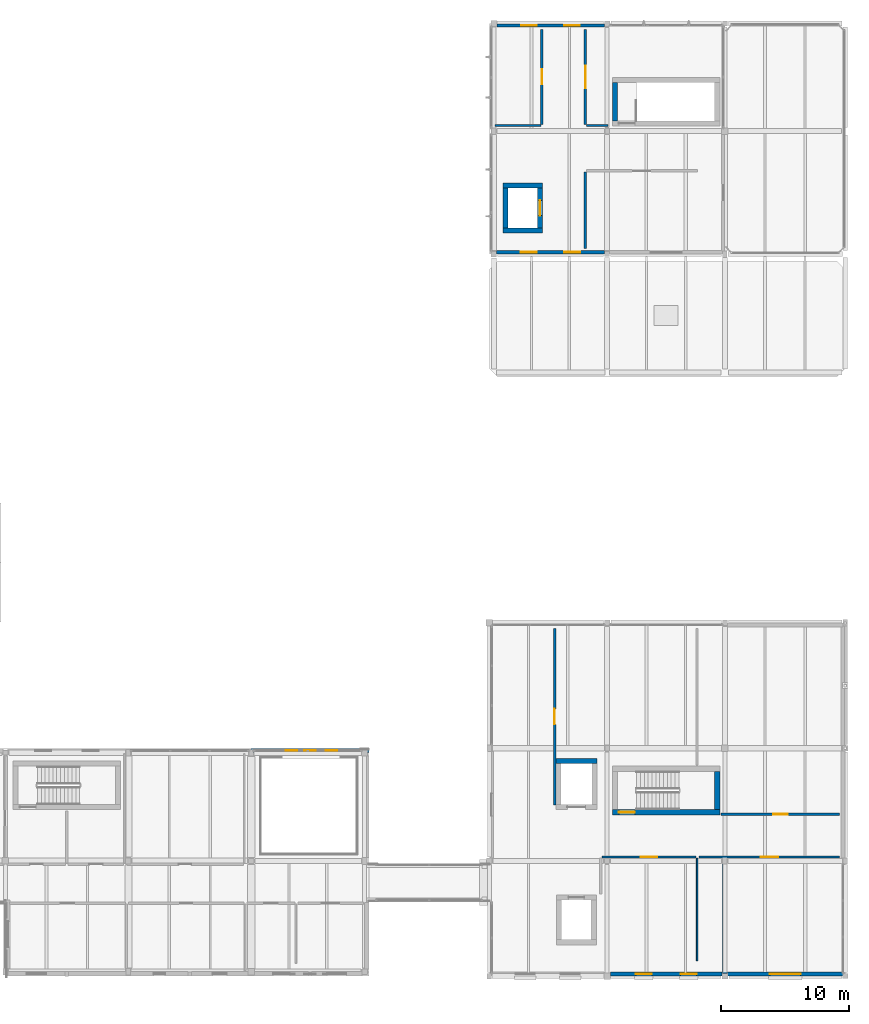
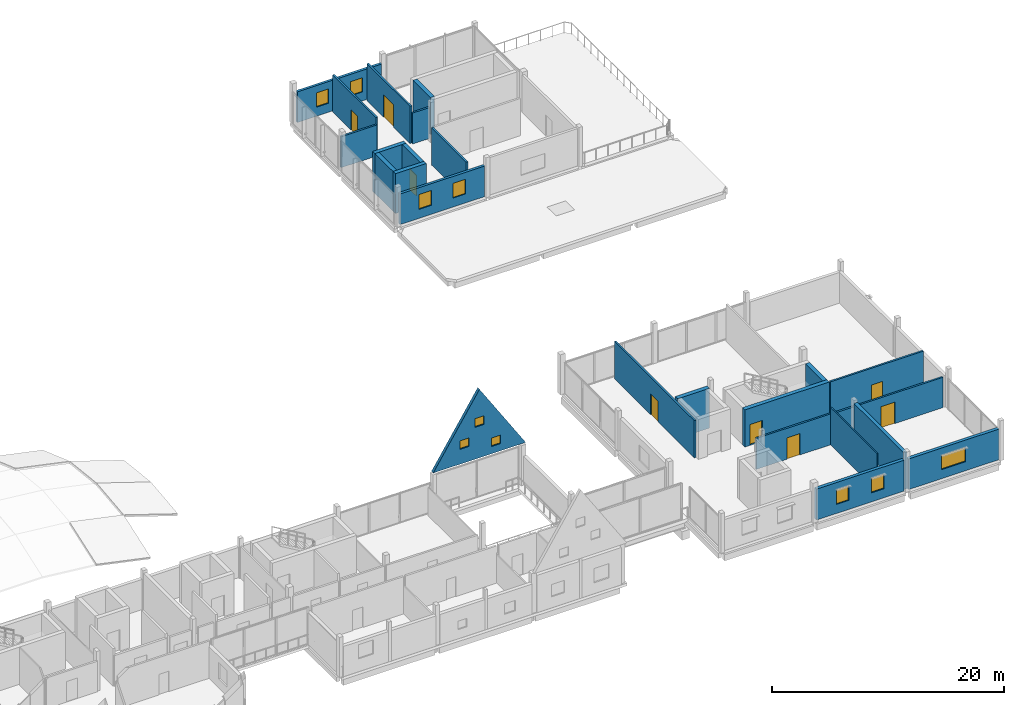
# One storey, part 23 of 35: 24 walls, 10 windows, 8 doors, 18 openings.
"""IFC4 building model written with IfcOpenShell, lengths in metres."""

from ifc_helpers import new_model, si_unit, direction, frame, frame_2d, origin, place, context, subcontext, project, spatial, polyline, rectangle, outline, extrude, material, layer, layer_set, type_object, element, fill, save


model = new_model("IFC4")

# Units and contexts
model_context = context("Model", 3, precision=1e-05, world=origin(), true_north=direction((0.0, 1.0)))
body_context = subcontext(model_context, "Body", "Model", "MODEL_VIEW")
ifc_project = project(units=[si_unit("LENGTHUNIT", "METRE"), si_unit("AREAUNIT", "SQUARE_METRE"), si_unit("VOLUMEUNIT", "CUBIC_METRE"), si_unit("PLANEANGLEUNIT", "RADIAN"), si_unit("MASSUNIT", "GRAM", prefix="KILO")], contexts=[model_context])

# Site, building, storey
site_placement = place(None, origin())
site = spatial("IfcSite", under=ifc_project, at=site_placement, CompositionType="ELEMENT")
building_placement = place(site_placement, origin())
building = spatial("IfcBuilding", under=site, at=building_placement, Name="Birchvale Park Specialist Clinic", CompositionType="ELEMENT")
storey_placement = place(building_placement, frame((0.0, 0.0, 13.800048828125)))
storey = spatial("IfcBuildingStorey", under=building, at=storey_placement, Name="L03", CompositionType="ELEMENT", Elevation=13.800048828125)

# Wall
ifc_material_1 = material(Name="Concrete C40/50", Category="concrete")
ifc_layer_1 = layer(ifc_material_1, 0.39990234375)
ifc_layer_set_1 = layer_set([ifc_layer_1], Name="Concrete C40/50")
wall_type_1 = type_object("IfcWallType", Name="WL-CW-120", PredefinedType="SHEAR", material=ifc_layer_set_1)
wall_1_placement = place(storey_placement, frame((137.800048828125, 83.60009765625, 0.0), z_axis=(0.0, 0.0, 1.0), x_axis=(0.0, 1.0, 0.0)))
element("IfcWall", 1, at=wall_1_placement, inside=storey, type_object=wall_type_1, Name="L03 stair ST3 EI 120 enclosure wall (west)", PredefinedType="SHEAR", context=body_context, shape_type="SweptSolid", body=[
    extrude(rectangle(XDim=3.0, YDim=0.39990234375, at=frame_2d((1.5, 0.0))), origin(), (0.0, 0.0, 1.0), 3.919921875),
])

# Wall, opening, door
wall_2_placement = place(storey_placement, frame((137.60009765625, 29.60009765625, 0.0), z_axis=(0.0, 0.0, 1.0), x_axis=(1.0, 0.0, 0.0)))
wall_2 = element("IfcWall", 2, at=wall_2_placement, inside=storey, type_object=wall_type_1, Name="L03 stair ST6 EI 120 enclosure wall (south)", PredefinedType="SHEAR", context=body_context, shape_type="SweptSolid", body=[
    extrude(rectangle(XDim=8.39990234375, YDim=0.39990234375, at=frame_2d((4.199951171875, 0.0))), origin(), (0.0, 0.0, 1.0), 3.919921875),
])
opening_1_placement = place(wall_2_placement, frame((0.52001953125, 0.0, 0.0)))
opening_1 = element("IfcOpeningElement", 3, at=opening_1_placement, cuts=wall_2, Name="Opening ID-FD60", PredefinedType="OPENING", context=body_context, shape_type="SweptSolid", body=[
    extrude(rectangle(XDim=1.25, YDim=2.199951171875, at=frame_2d((0.625, 1.10009765625))), frame((0.0, 0.2099609375, 0.0), z_axis=(0.0, -1.0, 0.0), x_axis=(1.0, 0.0, 0.0)), (0.0, 0.0, 1.0), 0.419921875),
])
ifc_material_2 = material(Name="Solid-core birch veneer and anodised aluminium", Category="aluminium")
door_type_1 = type_object("IfcDoorType", Name="DR-ID-FD60", OperationType="NOTDEFINED", PredefinedType="DOOR", material=ifc_material_2)
door_1_placement = place(opening_1_placement, origin())
door_1 = element("IfcDoor", 4, at=door_1_placement, inside=storey, type_object=door_type_1, Name="L03 stair ST6 fire door", OperationType="SINGLE_SWING_RIGHT", OverallHeight=2.199951171875, OverallWidth=1.25, PredefinedType="DOOR", context=body_context, shape_type="SweptSolid", body=[
    extrude(rectangle(XDim=1.25, YDim=2.199951171875, at=frame_2d((0.625, 1.10009765625))), frame((0.0, 0.02490234375, 0.0), z_axis=(0.0, -1.0, 0.0), x_axis=(1.0, 0.0, 0.0)), (0.0, 0.0, 1.0), 0.050048828125),
])
fill(opening_1, door_1)

# Walls
wall_3_placement = place(storey_placement, frame((145.800048828125, 32.800048828125, 0.0), z_axis=(0.0, 0.0, 1.0), x_axis=(0.0, -1.0, 0.0)))
element("IfcWall", 5, at=wall_3_placement, inside=storey, type_object=wall_type_1, Name="L03 stair ST6 EI 120 enclosure wall (east)", PredefinedType="SHEAR", context=body_context, shape_type="SweptSolid", body=[
    extrude(rectangle(XDim=3.0, YDim=0.39990234375, at=frame_2d((1.5, 0.0))), origin(), (0.0, 0.0, 1.0), 3.919921875),
])
for number, where, z_axis, x_axis, name in (
    (6, (129.050048828125, 75.050048828125, 0.0), (0.0, 0.0, 1.0), (1.0, 0.0, 0.0), "L03 lift LP2 shaft wall (south)"),
    (7, (132.14990234375, 78.550048828125, 0.0), (0.0, 0.0, 1.0), (-1.0, 0.0, 0.0), "L03 lift LP2 shaft wall (north)"),
):
    element("IfcWall", number, at=place(storey_placement, frame(where, z_axis=z_axis, x_axis=x_axis)), inside=storey, type_object=wall_type_1, Name=name, PredefinedType="SHEAR", context=body_context, shape_type="SweptSolid", body=[
        extrude(rectangle(XDim=3.099853515625, YDim=0.39990234375, at=frame_2d((1.5498046875, 0.0))), origin(), (0.0, 0.0, 1.0), 4.199951171875),
    ])
wall_4_placement = place(storey_placement, frame((129.25, 75.25, 0.0), z_axis=(0.0, 0.0, 1.0), x_axis=(0.0, 1.0, 0.0)))
element("IfcWall", 8, at=wall_4_placement, inside=storey, type_object=wall_type_1, Name="L03 lift LP2 shaft wall (west)", PredefinedType="SHEAR", context=body_context, shape_type="SweptSolid", body=[
    extrude(rectangle(XDim=3.10009765625, YDim=0.39990234375, at=frame_2d((1.550048828125, 0.0))), origin(), (0.0, 0.0, 1.0), 4.199951171875),
])

# Wall, opening, door
wall_5_placement = place(storey_placement, frame((131.949951171875, 78.35009765625, 0.0), z_axis=(0.0, 0.0, 1.0), x_axis=(0.0, -1.0, 0.0)))
wall_5 = element("IfcWall", 9, at=wall_5_placement, inside=storey, type_object=wall_type_1, Name="L03 lift LP2 shaft wall (east)", PredefinedType="SHEAR", context=body_context, shape_type="SweptSolid", body=[
    extrude(rectangle(XDim=3.10009765625, YDim=0.39990234375, at=frame_2d((1.550048828125, 0.0))), origin(), (0.0, 0.0, 1.0), 4.199951171875),
])
opening_2_placement = place(wall_5_placement, frame((0.949951171875, 0.0, 0.0)))
opening_2 = element("IfcOpeningElement", 10, at=opening_2_placement, cuts=wall_5, Name="Opening LD-01", PredefinedType="OPENING", context=body_context, shape_type="SweptSolid", body=[
    extrude(rectangle(XDim=1.199951171875, YDim=2.199951171875, at=frame_2d((0.60009765625, 1.10009765625))), frame((0.0, 0.2099609375, 0.0), z_axis=(0.0, -1.0, 0.0), x_axis=(1.0, 0.0, 0.0)), (0.0, 0.0, 1.0), 0.419921875),
])
door_type_2 = type_object("IfcDoorType", Name="DR-LD-01", OperationType="DOUBLE_DOOR_SLIDING", PredefinedType="DOOR", material=ifc_material_2)
door_2_placement = place(opening_2_placement, origin())
door_2 = element("IfcDoor", 11, at=door_2_placement, inside=storey, type_object=door_type_2, Name="L03 lift LP2 sliding landing door", OperationType="DOUBLE_DOOR_SLIDING", OverallHeight=2.199951171875, OverallWidth=1.199951171875, PredefinedType="DOOR", context=body_context, shape_type="SweptSolid", body=[
    extrude(rectangle(XDim=1.199951171875, YDim=2.199951171875, at=frame_2d((0.60009765625, 1.10009765625))), frame((0.0, 0.02490234375, 0.0), z_axis=(0.0, -1.0, 0.0), x_axis=(1.0, 0.0, 0.0)), (0.0, 0.0, 1.0), 0.050048828125),
])
fill(opening_2, door_2)

# Wall
wall_6_placement = place(storey_placement, frame((136.39990234375, 33.60009765625, 0.0), z_axis=(0.0, 0.0, 1.0), x_axis=(-1.0, 0.0, 0.0)))
element("IfcWall", 12, at=wall_6_placement, inside=storey, type_object=wall_type_1, Name="L03 lift LS2 shaft wall (north)", PredefinedType="SHEAR", context=body_context, shape_type="SweptSolid", body=[
    extrude(rectangle(XDim=3.199951171875, YDim=0.39990234375, at=frame_2d((1.60009765625, 0.0))), origin(), (0.0, 0.0, 1.0), 4.199951171875),
])

# Wall, openings, windows
ifc_material_3 = material(Name="Lime-white mineral-rendered insulated masonry", Category="masonry")
ifc_layer_2 = layer(ifc_material_3, 0.31005859375)
ifc_layer_set_2 = layer_set([ifc_layer_2], Name="Lime-white mineral-rendered insulated masonry")
wall_type_2 = type_object("IfcWallType", Name="WL-EW-02", PredefinedType="STANDARD", material=ifc_layer_set_2)
wall_7_placement = place(storey_placement, frame((137.445068359375, 16.97509765625, 0.0), z_axis=(0.0, 0.0, 1.0), x_axis=(1.0, 0.0, 0.0)))
wall_7 = element("IfcWall", 13, at=wall_7_placement, inside=storey, type_object=wall_type_2, Name="V5 L03 exterior facade wall 259", PredefinedType="STANDARD", context=body_context, shape_type="SweptSolid", body=[
    extrude(rectangle(XDim=8.73486328125, YDim=0.31005859375, at=frame_2d((4.367431640625, 0.0))), origin(), (0.0, 0.0, 1.0), 3.2548828125),
])
opening_3_placement = place(wall_7_placement, frame((1.99560546875, 0.0, 0.949951171875)))
opening_3 = element("IfcOpeningElement", 14, at=opening_3_placement, cuts=wall_7, Name="Opening W-CL14", PredefinedType="OPENING", context=body_context, shape_type="SweptSolid", body=[
    extrude(rectangle(XDim=1.25, YDim=1.550048828125, at=frame_2d((0.625, 0.77490234375))), frame((0.0, 0.1650390625, 0.0), z_axis=(0.0, -1.0, 0.0), x_axis=(1.0, 0.0, 0.0)), (0.0, 0.0, 1.0), 0.330078125),
])
opening_4_placement = place(wall_7_placement, frame((5.489501953125, 0.0, 0.949951171875)))
opening_4 = element("IfcOpeningElement", 15, at=opening_4_placement, cuts=wall_7, Name="Opening W-CL14", PredefinedType="OPENING", context=body_context, shape_type="SweptSolid", body=[
    extrude(rectangle(XDim=1.25, YDim=1.550048828125, at=frame_2d((0.625, 0.77490234375))), frame((0.0, 0.1650390625, 0.0), z_axis=(0.0, -1.0, 0.0), x_axis=(1.0, 0.0, 0.0)), (0.0, 0.0, 1.0), 0.330078125),
])
ifc_material_4 = material(Name="Solar-control low-E double glazing", Category="glass")
window_type_1 = type_object("IfcWindowType", Name="WIN-W-CL14", PartitioningType="SINGLE_PANEL", PredefinedType="WINDOW", material=ifc_material_4)
window_1_placement = place(opening_3_placement, origin())
window_1 = element("IfcWindow", 16, at=window_1_placement, inside=storey, type_object=window_type_1, Name="V5 L03 cased window 115", OverallHeight=1.550048828125, OverallWidth=1.25, PartitioningType="SINGLE_PANEL", PredefinedType="WINDOW", context=body_context, shape_type="SweptSolid", body=[
    extrude(rectangle(XDim=1.25, YDim=1.550048828125, at=frame_2d((0.625, 0.77490234375))), frame((0.0, 0.030029296875, 0.0), z_axis=(0.0, -1.0, 0.0), x_axis=(1.0, 0.0, 0.0)), (0.0, 0.0, 1.0), 0.06005859375),
])
fill(opening_3, window_1)
window_2_placement = place(opening_4_placement, origin())
window_2 = element("IfcWindow", 17, at=window_2_placement, inside=storey, type_object=window_type_1, Name="V5 L03 cased window 116", OverallHeight=1.550048828125, OverallWidth=1.25, PartitioningType="SINGLE_PANEL", PredefinedType="WINDOW", context=body_context, shape_type="SweptSolid", body=[
    extrude(rectangle(XDim=1.25, YDim=1.550048828125, at=frame_2d((0.625, 0.77490234375))), frame((0.0, 0.030029296875, 0.0), z_axis=(0.0, -1.0, 0.0), x_axis=(1.0, 0.0, 0.0)), (0.0, 0.0, 1.0), 0.06005859375),
])
fill(opening_4, window_2)

# Wall, opening, window
wall_8_placement = place(storey_placement, frame((146.6201171875, 16.97509765625, 0.0), z_axis=(0.0, 0.0, 1.0), x_axis=(1.0, 0.0, 0.0)))
wall_8 = element("IfcWall", 18, at=wall_8_placement, inside=storey, type_object=wall_type_2, Name="V5 L03 exterior facade wall 260", PredefinedType="STANDARD", context=body_context, shape_type="SweptSolid", body=[
    extrude(rectangle(XDim=8.98486328125, YDim=0.31005859375, at=frame_2d((4.492431640625, 0.0))), origin(), (0.0, 0.0, 1.0), 3.224853515625),
])
opening_5_placement = place(wall_8_placement, frame((3.29248046875, 0.0, 0.949951171875)))
opening_5 = element("IfcOpeningElement", 19, at=opening_5_placement, cuts=wall_8, Name="Opening W-CL08", PredefinedType="OPENING", context=body_context, shape_type="SweptSolid", body=[
    extrude(rectangle(XDim=2.39990234375, YDim=1.5, at=frame_2d((1.199951171875, 0.75))), frame((0.0, 0.1650390625, 0.0), z_axis=(0.0, -1.0, 0.0), x_axis=(1.0, 0.0, 0.0)), (0.0, 0.0, 1.0), 0.330078125),
])
window_type_2 = type_object("IfcWindowType", Name="WIN-W-CL08", PartitioningType="SINGLE_PANEL", PredefinedType="WINDOW", material=ifc_material_4)
window_3_placement = place(opening_5_placement, origin())
window_3 = element("IfcWindow", 20, at=window_3_placement, inside=storey, type_object=window_type_2, Name="V5 L03 cased window 117", OverallHeight=1.5, OverallWidth=2.39990234375, PartitioningType="SINGLE_PANEL", PredefinedType="WINDOW", context=body_context, shape_type="SweptSolid", body=[
    extrude(rectangle(XDim=2.39990234375, YDim=1.5, at=frame_2d((1.199951171875, 0.75))), frame((0.0, 0.030029296875, 0.0), z_axis=(0.0, -1.0, 0.0), x_axis=(1.0, 0.0, 0.0)), (0.0, 0.0, 1.0), 0.06005859375),
])
fill(opening_5, window_3)

# Wall, openings, windows
wall_9_placement = place(storey_placement, frame((118.60009765625, 34.425048828125, 4.199951171875), z_axis=(0.0, 0.0, 1.0), x_axis=(-1.0, 0.0, 0.0)))
wall_9 = element("IfcWall", 21, at=wall_9_placement, inside=storey, type_object=wall_type_2, Name="L04 white house-gable end wall Bay 7 N", PredefinedType="STANDARD", context=body_context, shape_type="SweptSolid", body=[
    extrude(outline(polyline([(0.0, 0.0), (9.2001953125, 0.0), (9.199951171875, 0.0), (4.60009765625, 7.18994140625), (0.0, 0.0), (0.0, 0.0)])), frame((0.0, 0.155029296875, 0.0), z_axis=(0.0, -1.0, 0.0), x_axis=(1.0, 0.0, 0.0)), (0.0, 0.0, 1.0), 0.31005859375),
])
opening_6_placement = place(wall_9_placement, frame((2.493896484375, 0.0, 0.75)))
opening_6 = element("IfcOpeningElement", 22, at=opening_6_placement, cuts=wall_9, Name="Opening W-SQ09", PredefinedType="OPENING", context=body_context, shape_type="SweptSolid", body=[
    extrude(rectangle(XDim=0.89990234375, YDim=0.89990234375, at=frame_2d((0.449951171875, 0.449951171875))), frame((0.0, 0.1650390625, 0.0), z_axis=(0.0, -1.0, 0.0), x_axis=(1.0, 0.0, 0.0)), (0.0, 0.0, 1.0), 0.330078125),
])
opening_7_placement = place(wall_9_placement, frame((5.6220703125, 0.0, 1.550048828125)))
opening_7 = element("IfcOpeningElement", 23, at=opening_7_placement, cuts=wall_9, Name="Opening W-SQ09", PredefinedType="OPENING", context=body_context, shape_type="SweptSolid", body=[
    extrude(rectangle(XDim=0.89990234375, YDim=0.89990234375, at=frame_2d((0.449951171875, 0.449951171875))), frame((0.0, 0.1650390625, 0.0), z_axis=(0.0, -1.0, 0.0), x_axis=(1.0, 0.0, 0.0)), (0.0, 0.0, 1.0), 0.330078125),
])
opening_8_placement = place(wall_9_placement, frame((4.14990234375, 0.0, 3.35009765625)))
opening_8 = element("IfcOpeningElement", 24, at=opening_8_placement, cuts=wall_9, Name="Opening W-SQ09", PredefinedType="OPENING", context=body_context, shape_type="SweptSolid", body=[
    extrude(rectangle(XDim=0.89990234375, YDim=0.89990234375, at=frame_2d((0.449951171875, 0.449951171875))), frame((0.0, 0.1650390625, 0.0), z_axis=(0.0, -1.0, 0.0), x_axis=(1.0, 0.0, 0.0)), (0.0, 0.0, 1.0), 0.330078125),
])
window_type_3 = type_object("IfcWindowType", Name="WIN-W-SQ09", PartitioningType="SINGLE_PANEL", PredefinedType="WINDOW", material=ifc_material_4)
window_4_placement = place(opening_6_placement, origin())
window_4 = element("IfcWindow", 25, at=window_4_placement, inside=storey, type_object=window_type_3, Name="L04 gable square window Bay 7 N.1", OverallHeight=0.89990234375, OverallWidth=0.89990234375, PartitioningType="SINGLE_PANEL", PredefinedType="WINDOW", context=body_context, shape_type="SweptSolid", body=[
    extrude(rectangle(XDim=0.89990234375, YDim=0.89990234375, at=frame_2d((0.449951171875, 0.449951171875))), frame((0.0, 0.030029296875, 0.0), z_axis=(0.0, -1.0, 0.0), x_axis=(1.0, 0.0, 0.0)), (0.0, 0.0, 1.0), 0.06005859375),
])
fill(opening_6, window_4)
window_5_placement = place(opening_7_placement, origin())
window_5 = element("IfcWindow", 26, at=window_5_placement, inside=storey, type_object=window_type_3, Name="L04 gable square window Bay 7 N.2", OverallHeight=0.89990234375, OverallWidth=0.89990234375, PartitioningType="SINGLE_PANEL", PredefinedType="WINDOW", context=body_context, shape_type="SweptSolid", body=[
    extrude(rectangle(XDim=0.89990234375, YDim=0.89990234375, at=frame_2d((0.449951171875, 0.449951171875))), frame((0.0, 0.030029296875, 0.0), z_axis=(0.0, -1.0, 0.0), x_axis=(1.0, 0.0, 0.0)), (0.0, 0.0, 1.0), 0.06005859375),
])
fill(opening_7, window_5)
window_6_placement = place(opening_8_placement, origin())
window_6 = element("IfcWindow", 27, at=window_6_placement, inside=storey, type_object=window_type_3, Name="L04 gable square window Bay 7 N.3", OverallHeight=0.89990234375, OverallWidth=0.89990234375, PartitioningType="SINGLE_PANEL", PredefinedType="WINDOW", context=body_context, shape_type="SweptSolid", body=[
    extrude(rectangle(XDim=0.89990234375, YDim=0.89990234375, at=frame_2d((0.449951171875, 0.449951171875))), frame((0.0, 0.030029296875, 0.0), z_axis=(0.0, -1.0, 0.0), x_axis=(1.0, 0.0, 0.0)), (0.0, 0.0, 1.0), 0.06005859375),
])
fill(opening_8, window_6)

ifc_layer_3 = layer(ifc_material_3, 0.25)
ifc_layer_set_3 = layer_set([ifc_layer_3], Name="Lime-white mineral-rendered insulated masonry")
wall_type_3 = type_object("IfcWallType", Name="WL-EW-05", PredefinedType="STANDARD", material=ifc_layer_set_3)
wall_10_placement = place(storey_placement, frame((128.56005859375, 73.344970703125, 0.0), z_axis=(0.0, 0.0, 1.0), x_axis=(1.0, 0.0, 0.0)))
wall_10 = element("IfcWall", 28, at=wall_10_placement, inside=storey, type_object=wall_type_3, Name="V6 L03 exterior facade wall 265", PredefinedType="STANDARD", context=body_context, shape_type="SweptSolid", body=[
    extrude(rectangle(XDim=8.44482421875, YDim=0.25, at=frame_2d((4.222412109375, 0.0))), origin(), (0.0, 0.0, 1.0), 3.219970703125),
])
opening_9_placement = place(wall_10_placement, frame((1.908447265625, 0.0, 0.949951171875)))
opening_9 = element("IfcOpeningElement", 29, at=opening_9_placement, cuts=wall_10, Name="Opening W-CL14", PredefinedType="OPENING", context=body_context, shape_type="SweptSolid", body=[
    extrude(rectangle(XDim=1.25, YDim=1.550048828125, at=frame_2d((0.625, 0.77490234375))), frame((0.0, 0.135009765625, 0.0), z_axis=(0.0, -1.0, 0.0), x_axis=(1.0, 0.0, 0.0)), (0.0, 0.0, 1.0), 0.27001953125),
])
opening_10_placement = place(wall_10_placement, frame((5.28662109375, 0.0, 0.949951171875)))
opening_10 = element("IfcOpeningElement", 30, at=opening_10_placement, cuts=wall_10, Name="Opening W-CL14", PredefinedType="OPENING", context=body_context, shape_type="SweptSolid", body=[
    extrude(rectangle(XDim=1.25, YDim=1.550048828125, at=frame_2d((0.625, 0.77490234375))), frame((0.0, 0.135009765625, 0.0), z_axis=(0.0, -1.0, 0.0), x_axis=(1.0, 0.0, 0.0)), (0.0, 0.0, 1.0), 0.27001953125),
])
window_7_placement = place(opening_9_placement, origin())
window_7 = element("IfcWindow", 31, at=window_7_placement, inside=storey, type_object=window_type_1, Name="V6 L03 cased window 119", OverallHeight=1.550048828125, OverallWidth=1.25, PartitioningType="SINGLE_PANEL", PredefinedType="WINDOW", context=body_context, shape_type="SweptSolid", body=[
    extrude(rectangle(XDim=1.25, YDim=1.550048828125, at=frame_2d((0.625, 0.77490234375))), frame((0.0, 0.030029296875, 0.0), z_axis=(0.0, -1.0, 0.0), x_axis=(1.0, 0.0, 0.0)), (0.0, 0.0, 1.0), 0.06005859375),
])
fill(opening_9, window_7)
window_8_placement = place(opening_10_placement, origin())
window_8 = element("IfcWindow", 32, at=window_8_placement, inside=storey, type_object=window_type_1, Name="V6 L03 cased window 120", OverallHeight=1.550048828125, OverallWidth=1.25, PartitioningType="SINGLE_PANEL", PredefinedType="WINDOW", context=body_context, shape_type="SweptSolid", body=[
    extrude(rectangle(XDim=1.25, YDim=1.550048828125, at=frame_2d((0.625, 0.77490234375))), frame((0.0, 0.030029296875, 0.0), z_axis=(0.0, -1.0, 0.0), x_axis=(1.0, 0.0, 0.0)), (0.0, 0.0, 1.0), 0.06005859375),
])
fill(opening_10, window_8)

wall_11_placement = place(storey_placement, frame((136.97998046875, 91.054931640625, 0.0), z_axis=(0.0, 0.0, 1.0), x_axis=(-1.0, 0.0, 0.0)))
wall_11 = element("IfcWall", 33, at=wall_11_placement, inside=storey, type_object=wall_type_3, Name="V6 L03 exterior facade wall 268", PredefinedType="STANDARD", context=body_context, shape_type="SweptSolid", body=[
    extrude(rectangle(XDim=8.39501953125, YDim=0.25, at=frame_2d((4.197509765625, 0.0))), origin(), (0.0, 0.0, 1.0), 3.219970703125),
])
opening_11_placement = place(wall_11_placement, frame((1.91845703125, 0.0, 0.949951171875)))
opening_11 = element("IfcOpeningElement", 34, at=opening_11_placement, cuts=wall_11, Name="Opening W-CL01", PredefinedType="OPENING", context=body_context, shape_type="SweptSolid", body=[
    extrude(rectangle(XDim=1.199951171875, YDim=1.5, at=frame_2d((0.60009765625, 0.75))), frame((0.0, 0.135009765625, 0.0), z_axis=(0.0, -1.0, 0.0), x_axis=(1.0, 0.0, 0.0)), (0.0, 0.0, 1.0), 0.27001953125),
])
opening_12_placement = place(wall_11_placement, frame((5.276611328125, 0.0, 0.949951171875)))
opening_12 = element("IfcOpeningElement", 35, at=opening_12_placement, cuts=wall_11, Name="Opening W-CL01", PredefinedType="OPENING", context=body_context, shape_type="SweptSolid", body=[
    extrude(rectangle(XDim=1.199951171875, YDim=1.5, at=frame_2d((0.60009765625, 0.75))), frame((0.0, 0.135009765625, 0.0), z_axis=(0.0, -1.0, 0.0), x_axis=(1.0, 0.0, 0.0)), (0.0, 0.0, 1.0), 0.27001953125),
])
window_type_4 = type_object("IfcWindowType", Name="WIN-W-CL01", PartitioningType="SINGLE_PANEL", PredefinedType="WINDOW", material=ifc_material_4)
window_9_placement = place(opening_11_placement, origin())
window_9 = element("IfcWindow", 36, at=window_9_placement, inside=storey, type_object=window_type_4, Name="V6 L03 cased window 122", OverallHeight=1.5, OverallWidth=1.199951171875, PartitioningType="SINGLE_PANEL", PredefinedType="WINDOW", context=body_context, shape_type="SweptSolid", body=[
    extrude(rectangle(XDim=1.199951171875, YDim=1.5, at=frame_2d((0.60009765625, 0.75))), frame((0.0, 0.030029296875, 0.0), z_axis=(0.0, -1.0, 0.0), x_axis=(1.0, 0.0, 0.0)), (0.0, 0.0, 1.0), 0.06005859375),
])
fill(opening_11, window_9)
window_10_placement = place(opening_12_placement, origin())
window_10 = element("IfcWindow", 37, at=window_10_placement, inside=storey, type_object=window_type_4, Name="V6 L03 cased window 123", OverallHeight=1.5, OverallWidth=1.199951171875, PartitioningType="SINGLE_PANEL", PredefinedType="WINDOW", context=body_context, shape_type="SweptSolid", body=[
    extrude(rectangle(XDim=1.199951171875, YDim=1.5, at=frame_2d((0.60009765625, 0.75))), frame((0.0, 0.030029296875, 0.0), z_axis=(0.0, -1.0, 0.0), x_axis=(1.0, 0.0, 0.0)), (0.0, 0.0, 1.0), 0.06005859375),
])
fill(opening_12, window_10)

# Wall
ifc_material_5 = material(Name="Acoustic gypsum board on metal framing")
ifc_layer_4 = layer(ifc_material_5, 0.114990234375)
ifc_layer_set_4 = layer_set([ifc_layer_4], Name="Acoustic gypsum board on metal framing")
wall_type_4 = type_object("IfcWallType", Name="WL-IW-05", PredefinedType="PARTITIONING", material=ifc_layer_set_4)
wall_12_placement = place(storey_placement, frame((144.22998046875, 26.02001953125, 0.0), z_axis=(0.0, 0.0, 1.0), x_axis=(0.0, -1.0, 0.0)))
element("IfcWall", 38, at=wall_12_placement, inside=storey, type_object=wall_type_4, Name="V5 L03 clinical partition 527", PredefinedType="PARTITIONING", context=body_context, shape_type="SweptSolid", body=[
    extrude(rectangle(XDim=8.02001953125, YDim=0.114990234375, at=frame_2d((4.010009765625, 0.0))), origin(), (0.0, 0.0, 1.0), 3.919921875),
])

# Wall, opening, door
ifc_layer_5 = layer(ifc_material_5, 0.179931640625)
ifc_layer_set_5 = layer_set([ifc_layer_5], Name="Acoustic gypsum board on metal framing")
wall_type_5 = type_object("IfcWallType", Name="WL-IW-60", PredefinedType="PARTITIONING", material=ifc_layer_set_5)
wall_13_placement = place(storey_placement, frame((136.780029296875, 26.10009765625, 0.0), z_axis=(0.0, 0.0, 1.0), x_axis=(1.0, 0.0, 0.0)))
wall_13 = element("IfcWall", 39, at=wall_13_placement, inside=storey, type_object=wall_type_5, Name="V5 L03 clinical partition 526", PredefinedType="PARTITIONING", context=body_context, shape_type="SweptSolid", body=[
    extrude(rectangle(XDim=7.369873046875, YDim=0.179931640625, at=frame_2d((3.68505859375, 0.0))), origin(), (0.0, 0.0, 1.0), 3.2548828125),
])
opening_13_placement = place(wall_13_placement, frame((3.044921875, 0.0, 0.0)))
opening_13 = element("IfcOpeningElement", 40, at=opening_13_placement, cuts=wall_13, Name="Opening ID-05", PredefinedType="OPENING", context=body_context, shape_type="SweptSolid", body=[
    extrude(rectangle(XDim=1.280029296875, YDim=2.25, at=frame_2d((0.64013671875, 1.125))), frame((0.0, 0.10009765625, 0.0), z_axis=(0.0, -1.0, 0.0), x_axis=(1.0, 0.0, 0.0)), (0.0, 0.0, 1.0), 0.199951171875),
])
door_type_3 = type_object("IfcDoorType", Name="DR-ID-05", OperationType="NOTDEFINED", PredefinedType="DOOR", material=ifc_material_2)
door_3_placement = place(opening_13_placement, origin())
door_3 = element("IfcDoor", 41, at=door_3_placement, inside=storey, type_object=door_type_3, Name="L03 Interventional Pain Procedure Suite door", OperationType="SINGLE_SWING_RIGHT", OverallHeight=2.25, OverallWidth=1.280029296875, PredefinedType="DOOR", context=body_context, shape_type="SweptSolid", body=[
    extrude(rectangle(XDim=1.280029296875, YDim=2.25, at=frame_2d((0.64013671875, 1.125))), frame((0.0, 0.02490234375, 0.0), z_axis=(0.0, -1.0, 0.0), x_axis=(1.0, 0.0, 0.0)), (0.0, 0.0, 1.0), 0.050048828125),
])
fill(opening_13, door_3)

wall_14_placement = place(storey_placement, frame((144.389892578125, 26.10009765625, 0.0), z_axis=(0.0, 0.0, 1.0), x_axis=(1.0, 0.0, 0.0)))
wall_14 = element("IfcWall", 42, at=wall_14_placement, inside=storey, type_object=wall_type_5, Name="V5 L03 clinical partition 528", PredefinedType="PARTITIONING", context=body_context, shape_type="SweptSolid", body=[
    extrude(rectangle(XDim=10.97021484375, YDim=0.179931640625, at=frame_2d((5.485107421875, 0.0))), origin(), (0.0, 0.0, 1.0), 3.195068359375),
])
opening_14_placement = place(wall_14_placement, frame((4.794921875, 0.0, 0.0)))
opening_14 = element("IfcOpeningElement", 43, at=opening_14_placement, cuts=wall_14, Name="Opening ID-06", PredefinedType="OPENING", context=body_context, shape_type="SweptSolid", body=[
    extrude(rectangle(XDim=1.3798828125, YDim=2.25, at=frame_2d((0.68994140625, 1.125))), frame((0.0, 0.10009765625, 0.0), z_axis=(0.0, -1.0, 0.0), x_axis=(1.0, 0.0, 0.0)), (0.0, 0.0, 1.0), 0.199951171875),
])
door_type_4 = type_object("IfcDoorType", Name="DR-ID-06", OperationType="NOTDEFINED", PredefinedType="DOOR", material=ifc_material_2)
door_4_placement = place(opening_14_placement, origin())
door_4 = element("IfcDoor", 44, at=door_4_placement, inside=storey, type_object=door_type_4, Name="L03 Vascular Access Procedure Room door", OperationType="SINGLE_SWING_LEFT", OverallHeight=2.25, OverallWidth=1.3798828125, PredefinedType="DOOR", context=body_context, shape_type="SweptSolid", body=[
    extrude(rectangle(XDim=1.3798828125, YDim=2.25, at=frame_2d((0.68994140625, 1.125))), frame((0.0, 0.02490234375, 0.0), z_axis=(0.0, -1.0, 0.0), x_axis=(1.0, 0.0, 0.0)), (0.0, 0.0, 1.0), 0.050048828125),
])
fill(opening_14, door_4)

wall_15_placement = place(storey_placement, frame((133.10009765625, 30.179931640625, 0.0), z_axis=(0.0, 0.0, 1.0), x_axis=(0.0, 1.0, 0.0)))
wall_15 = element("IfcWall", 45, at=wall_15_placement, inside=storey, type_object=wall_type_5, Name="V5 L03 clinical partition 529", PredefinedType="PARTITIONING", context=body_context, shape_type="SweptSolid", body=[
    extrude(rectangle(XDim=13.780029296875, YDim=0.179931640625, at=frame_2d((6.89013671875, 0.0))), origin(), (0.0, 0.0, 1.0), 3.919921875),
])
opening_15_placement = place(wall_15_placement, frame((6.280029296875, 0.0, 0.0)))
opening_15 = element("IfcOpeningElement", 46, at=opening_15_placement, cuts=wall_15, Name="Opening ID-10", PredefinedType="OPENING", context=body_context, shape_type="SweptSolid", body=[
    extrude(rectangle(XDim=1.219970703125, YDim=2.179931640625, at=frame_2d((0.60986328125, 1.08984375))), frame((0.0, 0.10009765625, 0.0), z_axis=(0.0, -1.0, 0.0), x_axis=(1.0, 0.0, 0.0)), (0.0, 0.0, 1.0), 0.199951171875),
])
door_type_5 = type_object("IfcDoorType", Name="DR-ID-10", OperationType="NOTDEFINED", PredefinedType="DOOR", material=ifc_material_2)
door_5_placement = place(opening_15_placement, origin())
door_5 = element("IfcDoor", 47, at=door_5_placement, inside=storey, type_object=door_type_5, Name="L03 Biopsy Day-Procedure Room door", OperationType="SINGLE_SWING_RIGHT", OverallHeight=2.179931640625, OverallWidth=1.219970703125, PredefinedType="DOOR", context=body_context, shape_type="SweptSolid", body=[
    extrude(rectangle(XDim=1.219970703125, YDim=2.179931640625, at=frame_2d((0.60986328125, 1.08984375))), frame((0.0, 0.02490234375, 0.0), z_axis=(0.0, -1.0, 0.0), x_axis=(1.0, 0.0, 0.0)), (0.0, 0.0, 1.0), 0.050048828125),
])
fill(opening_15, door_5)

wall_16_placement = place(storey_placement, frame((155.360107421875, 29.449951171875, 0.0), z_axis=(0.0, 0.0, 1.0), x_axis=(-1.0, 0.0, 0.0)))
wall_16 = element("IfcWall", 48, at=wall_16_placement, inside=storey, type_object=wall_type_5, Name="V5 L03 clinical partition 531", PredefinedType="PARTITIONING", context=body_context, shape_type="SweptSolid", body=[
    extrude(rectangle(XDim=9.260009765625, YDim=0.179931640625, at=frame_2d((4.6298828125, 0.0))), origin(), (0.0, 0.0, 1.0), 3.919921875),
])
opening_16_placement = place(wall_16_placement, frame((4.070068359375, 0.0, 0.0)))
opening_16 = element("IfcOpeningElement", 49, at=opening_16_placement, cuts=wall_16, Name="Opening ID-11", PredefinedType="OPENING", context=body_context, shape_type="SweptSolid", body=[
    extrude(rectangle(XDim=1.1201171875, YDim=2.159912109375, at=frame_2d((0.56005859375, 1.080078125))), frame((0.0, 0.10009765625, 0.0), z_axis=(0.0, -1.0, 0.0), x_axis=(1.0, 0.0, 0.0)), (0.0, 0.0, 1.0), 0.199951171875),
])
door_type_6 = type_object("IfcDoorType", Name="DR-ID-11", OperationType="NOTDEFINED", PredefinedType="DOOR", material=ifc_material_2)
door_6_placement = place(opening_16_placement, origin())
door_6 = element("IfcDoor", 50, at=door_6_placement, inside=storey, type_object=door_type_6, Name="L03 Post-Procedure Recovery Bay door", OperationType="SINGLE_SWING_LEFT", OverallHeight=2.159912109375, OverallWidth=1.1201171875, PredefinedType="DOOR", context=body_context, shape_type="SweptSolid", body=[
    extrude(rectangle(XDim=1.1201171875, YDim=2.159912109375, at=frame_2d((0.56005859375, 1.080078125))), frame((0.0, 0.02490234375, 0.0), z_axis=(0.0, -1.0, 0.0), x_axis=(1.0, 0.0, 0.0)), (0.0, 0.0, 1.0), 0.050048828125),
])
fill(opening_16, door_6)

# Walls
wall_17_placement = place(storey_placement, frame((135.5, 73.639892578125, 0.0), z_axis=(0.0, 0.0, 1.0), x_axis=(0.0, 1.0, 0.0)))
element("IfcWall", 51, at=wall_17_placement, inside=storey, type_object=wall_type_5, Name="V6 L03 clinical partition 533", PredefinedType="PARTITIONING", context=body_context, shape_type="SweptSolid", body=[
    extrude(rectangle(XDim=5.980224609375, YDim=0.179931640625, at=frame_2d((2.990234375, 0.0))), origin(), (0.0, 0.0, 1.0), 3.919921875),
])
wall_18_placement = place(storey_placement, frame((132.02001953125, 83.25, 0.0), z_axis=(0.0, 0.0, 1.0), x_axis=(-1.0, 0.0, 0.0)))
element("IfcWall", 52, at=wall_18_placement, inside=storey, type_object=wall_type_5, Name="V6 L03 clinical partition 534", PredefinedType="PARTITIONING", context=body_context, shape_type="SweptSolid", body=[
    extrude(rectangle(XDim=3.580078125, YDim=0.179931640625, at=frame_2d((1.7900390625, 0.0))), origin(), (0.0, 0.0, 1.0), 3.260009765625),
])

# Wall, opening, door
wall_19_placement = place(storey_placement, frame((132.10009765625, 90.760009765625, 0.0), z_axis=(0.0, 0.0, 1.0), x_axis=(0.0, -1.0, 0.0)))
wall_19 = element("IfcWall", 53, at=wall_19_placement, inside=storey, type_object=wall_type_5, Name="V6 L03 clinical partition 535", PredefinedType="PARTITIONING", context=body_context, shape_type="SweptSolid", body=[
    extrude(rectangle(XDim=7.429931640625, YDim=0.179931640625, at=frame_2d((3.71484375, 0.0))), origin(), (0.0, 0.0, 1.0), 3.919921875),
])
opening_17_placement = place(wall_19_placement, frame((3.125, 0.0, 0.0)))
opening_17 = element("IfcOpeningElement", 54, at=opening_17_placement, cuts=wall_19, Name="Opening ID-ST60", PredefinedType="OPENING", context=body_context, shape_type="SweptSolid", body=[
    extrude(rectangle(XDim=1.179931640625, YDim=2.179931640625, at=frame_2d((0.58984375, 1.08984375))), frame((0.0, 0.10009765625, 0.0), z_axis=(0.0, -1.0, 0.0), x_axis=(1.0, 0.0, 0.0)), (0.0, 0.0, 1.0), 0.199951171875),
])
door_type_7 = type_object("IfcDoorType", Name="DR-ID-ST60", OperationType="NOTDEFINED", PredefinedType="DOOR", material=ifc_material_2)
door_7_placement = place(opening_17_placement, origin())
door_7 = element("IfcDoor", 55, at=door_7_placement, inside=storey, type_object=door_type_7, Name="L03 Clinical Faculty Consult Room door", OperationType="SINGLE_SWING_LEFT", OverallHeight=2.179931640625, OverallWidth=1.179931640625, PredefinedType="DOOR", context=body_context, shape_type="SweptSolid", body=[
    extrude(rectangle(XDim=1.179931640625, YDim=2.179931640625, at=frame_2d((0.58984375, 1.08984375))), frame((0.0, 0.02490234375, 0.0), z_axis=(0.0, -1.0, 0.0), x_axis=(1.0, 0.0, 0.0)), (0.0, 0.0, 1.0), 0.050048828125),
])
fill(opening_17, door_7)

# Wall
wall_20_placement = place(storey_placement, frame((137.264892578125, 83.25, 0.0), z_axis=(0.0, 0.0, 1.0), x_axis=(-1.0, 0.0, 0.0)))
element("IfcWall", 56, at=wall_20_placement, inside=storey, type_object=wall_type_5, Name="V6 L03 clinical partition 536", PredefinedType="PARTITIONING", context=body_context, shape_type="SweptSolid", body=[
    extrude(rectangle(XDim=1.684814453125, YDim=0.179931640625, at=frame_2d((0.84228515625, 0.0))), origin(), (0.0, 0.0, 1.0), 3.260009765625),
])

# Wall, opening, door
wall_21_placement = place(storey_placement, frame((135.5, 83.330078125, 0.0), z_axis=(0.0, 0.0, 1.0), x_axis=(0.0, 1.0, 0.0)))
wall_21 = element("IfcWall", 57, at=wall_21_placement, inside=storey, type_object=wall_type_5, Name="V6 L03 clinical partition 537", PredefinedType="PARTITIONING", context=body_context, shape_type="SweptSolid", body=[
    extrude(rectangle(XDim=7.429931640625, YDim=0.179931640625, at=frame_2d((3.71484375, 0.0))), origin(), (0.0, 0.0, 1.0), 3.919921875),
])
opening_18_placement = place(wall_21_placement, frame((2.840087890625, 0.0, 0.0)))
opening_18 = element("IfcOpeningElement", 58, at=opening_18_placement, cuts=wall_21, Name="Opening ID-09", PredefinedType="OPENING", context=body_context, shape_type="SweptSolid", body=[
    extrude(rectangle(XDim=1.75, YDim=2.35009765625, at=frame_2d((0.875, 1.175048828125))), frame((0.0, 0.10009765625, 0.0), z_axis=(0.0, -1.0, 0.0), x_axis=(1.0, 0.0, 0.0)), (0.0, 0.0, 1.0), 0.199951171875),
])
door_type_8 = type_object("IfcDoorType", Name="DR-ID-09", OperationType="DOUBLE_DOOR_SINGLE_SWING", PredefinedType="DOOR", material=ifc_material_2)
door_8_placement = place(opening_18_placement, origin())
door_8 = element("IfcDoor", 59, at=door_8_placement, inside=storey, type_object=door_type_8, Name="L03 Fellows Seminar Room door", OperationType="DOUBLE_DOOR_SINGLE_SWING", OverallHeight=2.35009765625, OverallWidth=1.75, PredefinedType="DOOR", context=body_context, shape_type="SweptSolid", body=[
    extrude(rectangle(XDim=1.75, YDim=2.35009765625, at=frame_2d((0.875, 1.175048828125))), frame((0.0, 0.02490234375, 0.0), z_axis=(0.0, -1.0, 0.0), x_axis=(1.0, 0.0, 0.0)), (0.0, 0.0, 1.0), 0.050048828125),
])
fill(opening_18, door_8)

# Wall
ifc_layer_6 = layer(ifc_material_1, 0.35009765625)
ifc_layer_set_6 = layer_set([ifc_layer_6], Name="Concrete C40/50")
wall_type_6 = type_object("IfcWallType", Name="WL-SW-350", PredefinedType="SHEAR", material=ifc_layer_set_6)
wall_22_placement = place(storey_placement, frame((146.39990234375, 17.02490234375, 0.0), z_axis=(0.0, 0.0, 1.0), x_axis=(0.0, 1.0, 0.0)))
element("IfcWall", 60, at=wall_22_placement, inside=storey, type_object=wall_type_6, Name="V5 L03 coupled seismic shear wall 15", PredefinedType="SHEAR", context=body_context, shape_type="SweptSolid", body=[
    extrude(rectangle(XDim=8.525146484375, YDim=0.35009765625, at=frame_2d((4.2626953125, 0.0))), origin(), (0.0, 0.0, 1.0), 3.919921875),
])

save(model, "model.ifc")
